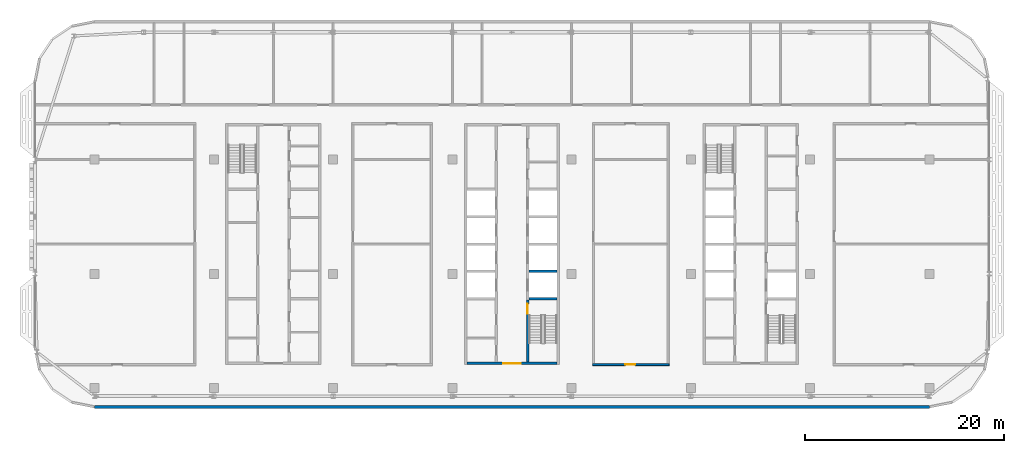
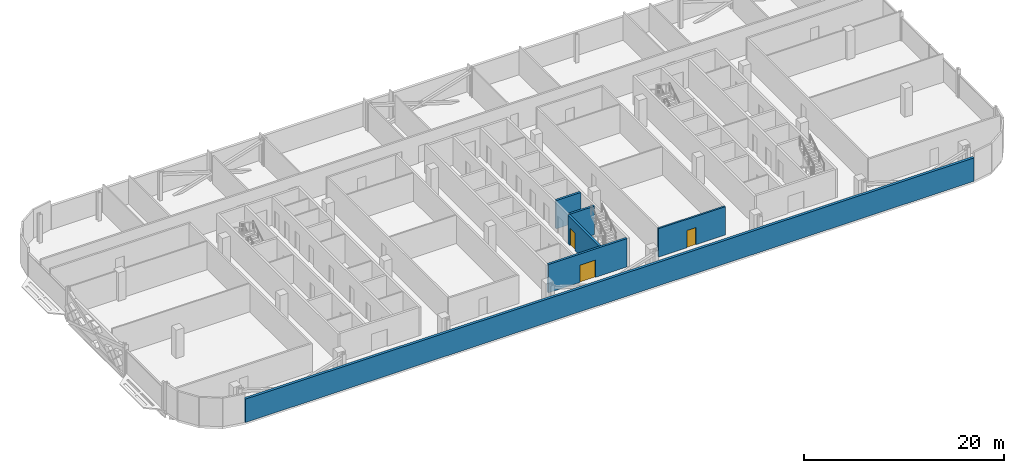
# One storey, part 14 of 28: 6 walls, 3 doors, 3 openings.
"""IFC4 building model written with IfcOpenShell, lengths in metres."""

from ifc_helpers import new_model, si_unit, direction, frame, frame_2d, origin, place, context, subcontext, project, spatial, rectangle, extrude, material, layer, layer_set, type_object, element, fill, save


model = new_model("IFC4")

# Units and contexts
model_context = context("Model", 3, precision=1e-05, world=origin(), true_north=direction((0.0, 1.0)))
body_context = subcontext(model_context, "Body", "Model", "MODEL_VIEW")
ifc_project = project(units=[si_unit("LENGTHUNIT", "METRE"), si_unit("AREAUNIT", "SQUARE_METRE"), si_unit("VOLUMEUNIT", "CUBIC_METRE"), si_unit("PLANEANGLEUNIT", "RADIAN"), si_unit("MASSUNIT", "GRAM", prefix="KILO")], contexts=[model_context])

# Site, building, storey
site_placement = place(None, origin())
site = spatial("IfcSite", under=ifc_project, at=site_placement, CompositionType="ELEMENT")
building_placement = place(site_placement, origin())
building = spatial("IfcBuilding", under=site, at=building_placement, Name="Mahtab Terrace Research Tower", CompositionType="ELEMENT")
storey_placement = place(building_placement, frame((0.0, 0.0, 270.89990234375)))
storey = spatial("IfcBuildingStorey", under=building, at=storey_placement, Name="L66", CompositionType="ELEMENT", Elevation=270.89990234375)

# Wall, opening, door
ifc_material_1 = material(Name="Concrete C70/85", Category="concrete")
ifc_layer_1 = layer(ifc_material_1, 0.25)
ifc_layer_set_1 = layer_set([ifc_layer_1], Name="Core wall 250")
wall_type_1 = type_object("IfcWallType", Name="Core wall 250", PredefinedType="SOLIDWALL", material=ifc_layer_set_1)
wall_1_placement = place(storey_placement, frame((4.550048828125, -9.0, 0.0), z_axis=(0.0, 0.0, 1.0), x_axis=(-1.0, 0.0, 0.0)))
wall_1 = element("IfcWall", 1, at=wall_1_placement, inside=storey, type_object=wall_type_1, Name="Core wall B endS", PredefinedType="SOLIDWALL", context=body_context, shape_type="SweptSolid", body=[
    extrude(rectangle(XDim=9.10009765625, YDim=0.25, at=frame_2d((4.550048828125, 0.0))), origin(), (0.0, 0.0, 1.0), 3.460205078125),
])
opening_1_placement = place(wall_1_placement, frame((3.64990234375, 0.0, 0.0)))
opening_1 = element("IfcOpeningElement", 2, at=opening_1_placement, cuts=wall_1, Name="Opening B-S1", PredefinedType="OPENING", context=body_context, shape_type="SweptSolid", body=[
    extrude(rectangle(XDim=1.800048828125, YDim=2.10009765625, at=frame_2d((0.89990234375, 1.050048828125))), frame((0.0, 0.135009765625, 0.0), z_axis=(0.0, -1.0, 0.0), x_axis=(1.0, 0.0, 0.0)), (0.0, 0.0, 1.0), 0.27001953125),
])
ifc_material_2 = material(Name="Steel fire door", Category="steel")
door_type_1 = type_object("IfcDoorType", Name="Lobby double door 1800x2100 1 HR", OperationType="DOUBLE_DOOR_SINGLE_SWING", PredefinedType="DOOR", material=ifc_material_2)
door_1_placement = place(opening_1_placement, origin())
door_1 = element("IfcDoor", 3, at=door_1_placement, inside=storey, type_object=door_type_1, Name="Core entrance door B S", OperationType="DOUBLE_DOOR_SINGLE_SWING", OverallHeight=2.10009765625, OverallWidth=1.800048828125, PredefinedType="DOOR", context=body_context, shape_type="SweptSolid", body=[
    extrude(rectangle(XDim=1.800048828125, YDim=2.10009765625, at=frame_2d((0.89990234375, 1.050048828125))), frame((0.0, 0.02490234375, 0.0), z_axis=(0.0, -1.0, 0.0), x_axis=(1.0, 0.0, 0.0)), (0.0, 0.0, 1.0), 0.050048828125),
])
fill(opening_1, door_1)

wall_2_placement = place(storey_placement, frame((1.574951171875, -8.875, 0.0), z_axis=(0.0, 0.0, 1.0), x_axis=(0.0, 1.0, 0.0)))
wall_2 = element("IfcWall", 4, at=wall_2_placement, inside=storey, type_object=wall_type_1, Name="Core wall B innerES", PredefinedType="SOLIDWALL", context=body_context, shape_type="SweptSolid", body=[
    extrude(rectangle(XDim=6.25, YDim=0.25, at=frame_2d((3.125, 0.0))), origin(), (0.0, 0.0, 1.0), 3.460205078125),
])
opening_2_placement = place(wall_2_placement, frame((4.85009765625, 0.0, 0.0)))
opening_2 = element("IfcOpeningElement", 5, at=opening_2_placement, cuts=wall_2, Name="Opening B-ST2", PredefinedType="OPENING", context=body_context, shape_type="SweptSolid", body=[
    extrude(rectangle(XDim=1.0, YDim=2.10009765625, at=frame_2d((0.5, 1.050048828125))), frame((0.0, 0.135009765625, 0.0), z_axis=(0.0, -1.0, 0.0), x_axis=(1.0, 0.0, 0.0)), (0.0, 0.0, 1.0), 0.27001953125),
])
door_type_2 = type_object("IfcDoorType", Name="Stair door 1000x2100 1.5 HR", OperationType="NOTDEFINED", PredefinedType="DOOR", material=ifc_material_2)
door_2_placement = place(opening_2_placement, origin())
door_2 = element("IfcDoor", 6, at=door_2_placement, inside=storey, type_object=door_type_2, Name="Stair door ST2 L66", OperationType="SINGLE_SWING_RIGHT", OverallHeight=2.10009765625, OverallWidth=1.0, PredefinedType="DOOR", context=body_context, shape_type="SweptSolid", body=[
    extrude(rectangle(XDim=1.0, YDim=2.10009765625, at=frame_2d((0.5, 1.050048828125))), frame((0.0, 0.02490234375, 0.0), z_axis=(0.0, -1.0, 0.0), x_axis=(1.0, 0.0, 0.0)), (0.0, 0.0, 1.0), 0.050048828125),
])
fill(opening_2, door_2)

# Walls
for number, where, z_axis, x_axis, name in (
    (7, (1.699951171875, -2.5, 0.0), (0.0, 0.0, 1.0), (1.0, 0.0, 0.0), "Core wall B divE0"),
    (8, (1.699951171875, 0.25, 0.0), (0.0, 0.0, 1.0), (1.0, 0.0, 0.0), "Core wall B divE1"),
):
    element("IfcWall", number, at=place(storey_placement, frame(where, z_axis=z_axis, x_axis=x_axis)), inside=storey, type_object=wall_type_1, Name=name, PredefinedType="SOLIDWALL", context=body_context, shape_type="SweptSolid", body=[
        extrude(rectangle(XDim=2.85009765625, YDim=0.25, at=frame_2d((1.425048828125, 0.0))), origin(), (0.0, 0.0, 1.0), 3.460205078125),
    ])
ifc_material_3 = material(Name="Black aluminium cladding panel", Category="aluminium")
ifc_layer_2 = layer(ifc_material_3, 0.300048828125)
ifc_layer_set_2 = layer_set([ifc_layer_2], Name="Opaque facade wall 300")
wall_type_2 = type_object("IfcWallType", Name="Opaque facade wall 300", PredefinedType="NOTDEFINED", material=ifc_layer_set_2)
wall_3_placement = place(storey_placement, frame((-42.0, -13.389892578125, 0.0), z_axis=(0.0, 0.0, 1.0), x_axis=(1.0, 0.0, 0.0)))
element("IfcWall", 9, at=wall_3_placement, inside=storey, type_object=wall_type_2, Name="Opaque facade wall L66 S16", PredefinedType="NOTDEFINED", context=body_context, shape_type="SweptSolid", body=[
    extrude(rectangle(XDim=84.0, YDim=0.300048828125, at=frame_2d((42.0, 0.0))), origin(), (0.0, 0.0, 1.0), 2.85302734375),
])

# Wall, opening, door
ifc_material_4 = material(Name="Gypsum board corridor wall on steel studs", Category="steel")
ifc_layer_3 = layer(ifc_material_4, 0.199951171875)
ifc_layer_set_3 = layer_set([ifc_layer_3], Name="WALL CORRIDOR 200")
wall_type_3 = type_object("IfcWallType", Name="WALL CORRIDOR 200", PredefinedType="PARTITIONING", material=ifc_layer_set_3)
wall_4_placement = place(storey_placement, frame((8.10009765625, -9.125, 0.0), z_axis=(0.0, 0.0, 1.0), x_axis=(1.0, 0.0, 0.0)))
wall_4 = element("IfcWall", 10, at=wall_4_placement, inside=storey, type_object=wall_type_3, Name="L66-W003", PredefinedType="PARTITIONING", context=body_context, shape_type="SweptSolid", body=[
    extrude(rectangle(XDim=7.699951171875, YDim=0.199951171875, at=frame_2d((3.85009765625, 0.0))), origin(), (0.0, 0.0, 1.0), 3.460205078125),
])
opening_3_placement = place(wall_4_placement, frame((3.300048828125, 0.0, 0.0)))
opening_3 = element("IfcOpeningElement", 11, at=opening_3_placement, cuts=wall_4, Name="Opening L66-103", PredefinedType="OPENING", context=body_context, shape_type="SweptSolid", body=[
    extrude(rectangle(XDim=1.0, YDim=2.10009765625, at=frame_2d((0.5, 1.050048828125))), frame((0.0, 0.10986328125, 0.0), z_axis=(0.0, -1.0, 0.0), x_axis=(1.0, 0.0, 0.0)), (0.0, 0.0, 1.0), 0.219970703125),
])
ifc_material_5 = material(Name="Timber door leaf in steel frame", Category="steel")
door_type_3 = type_object("IfcDoorType", Name="DOOR 1000X2100 FD30S", OperationType="SINGLE_SWING_LEFT", PredefinedType="DOOR", material=ifc_material_5)
door_3_placement = place(opening_3_placement, origin())
door_3 = element("IfcDoor", 12, at=door_3_placement, inside=storey, type_object=door_type_3, Name="Door L66-103", OperationType="SINGLE_SWING_LEFT", OverallHeight=2.10009765625, OverallWidth=1.0, PredefinedType="DOOR", context=body_context, shape_type="SweptSolid", body=[
    extrude(rectangle(XDim=1.0, YDim=2.10009765625, at=frame_2d((0.5, 1.050048828125))), frame((0.0, 0.02490234375, 0.0), z_axis=(0.0, -1.0, 0.0), x_axis=(1.0, 0.0, 0.0)), (0.0, 0.0, 1.0), 0.050048828125),
])
fill(opening_3, door_3)

save(model, "model.ifc")
